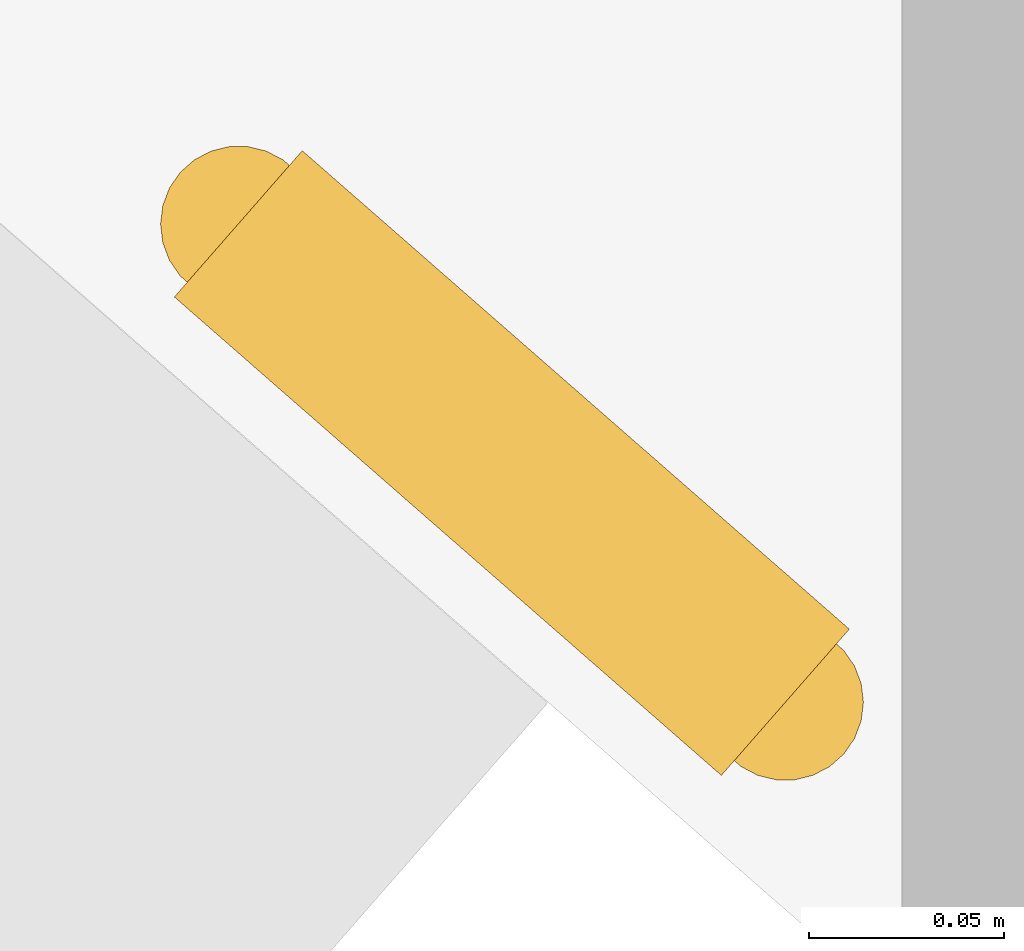
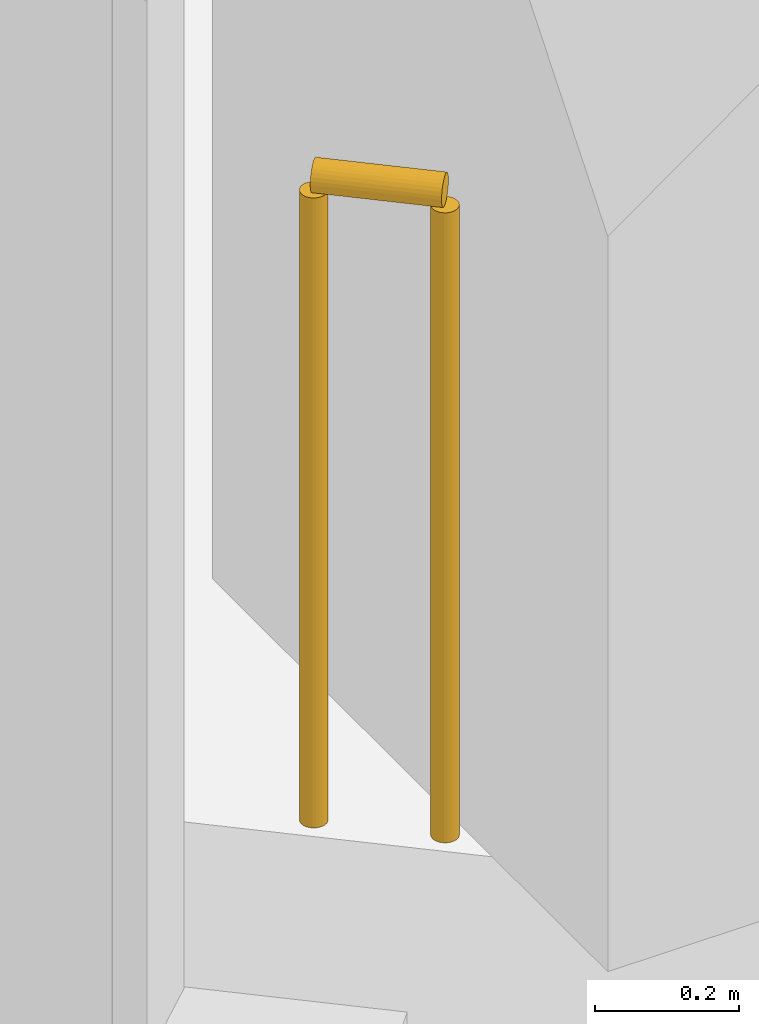
# One storey, part 33 of 38: 1 railing.
"""IFC4 building model written with IfcOpenShell, lengths in metres."""

from ifc_helpers import new_model, si_unit, direction, frame, origin, origin_2d, place, context, subcontext, project, spatial, circle, extrude, material, type_object, element, save


model = new_model("IFC4")

# Units and contexts
model_context = context("Model", 3, precision=1e-05, world=origin(), true_north=direction((0.0, 1.0)))
body_context = subcontext(model_context, "Body", "Model", "MODEL_VIEW")
ifc_project = project(units=[si_unit("LENGTHUNIT", "METRE"), si_unit("AREAUNIT", "SQUARE_METRE"), si_unit("VOLUMEUNIT", "CUBIC_METRE"), si_unit("PLANEANGLEUNIT", "RADIAN"), si_unit("MASSUNIT", "GRAM", prefix="KILO")], contexts=[model_context])

# Site, building, storey
site_placement = place(None, origin())
site = spatial("IfcSite", under=ifc_project, at=site_placement, CompositionType="ELEMENT")
building_placement = place(site_placement, origin())
building = spatial("IfcBuilding", under=site, at=building_placement, Name="Orlundy Tower", CompositionType="ELEMENT")
storey_placement = place(building_placement, frame((0.0, 0.0, 69.300048828125)))
storey = spatial("IfcBuildingStorey", under=building, at=storey_placement, Name="L16", CompositionType="ELEMENT", Elevation=69.300048828125)

# Railing
ifc_material = material(Name="Stainless steel bronze finish", Category="steel")
railing_type = type_object("IfcRailingType", Name="TG1 terrace guard", PredefinedType="GUARDRAIL", material=ifc_material)
railing_placement = place(storey_placement, frame((-46.7529296875, -38.10400390625, 0.0)))
element("IfcRailing", 1, at=railing_placement, inside=storey, type_object=railing_type, Name="Guard TG-L16-E01", PredefinedType="GUARDRAIL", context=body_context, shape_type="SweptSolid", body=[
    extrude(circle(Radius=0.02490234375, at=origin_2d()), frame((0.0, 0.0, 1.09521484375), z_axis=(-0.752739145175, 0.658318903968, 0.0), x_axis=(-0.658318903968, -0.752739145175, 0.0)), (0.0, 0.0, 1.0), 0.186279296875),
    extrude(circle(Radius=0.02001953125, at=origin_2d()), origin(), (0.0, 0.0, 1.0), 1.070068359375),
    extrude(circle(Radius=0.02001953125, at=origin_2d()), frame((-0.14013671875, 0.12255859375, 0.0)), (0.0, 0.0, 1.0), 1.070068359375),
])

save(model, "model.ifc")
